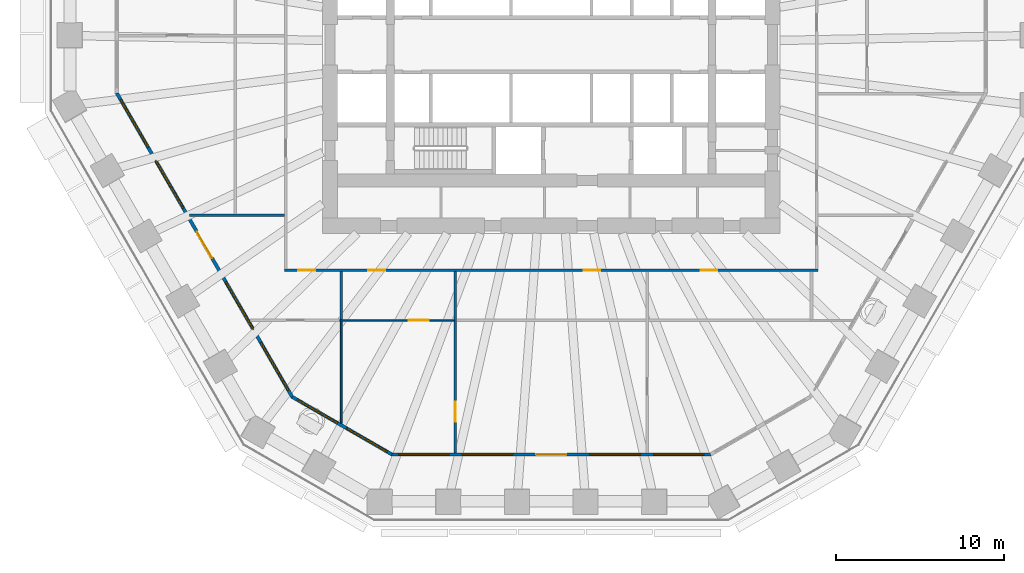
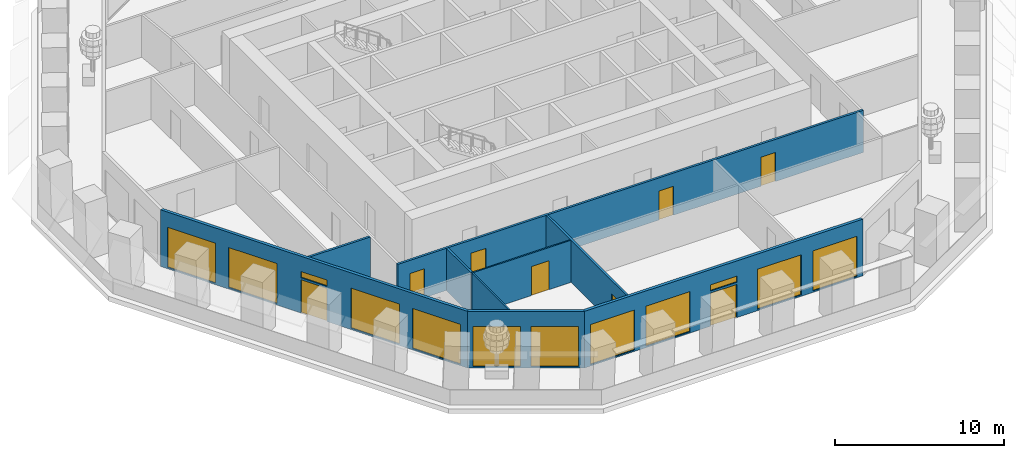
# One storey, part 3 of 13: 12 windows, 9 walls, 8 doors, 20 openings.
"""IFC4 building model written with IfcOpenShell, lengths in metres."""

from ifc_helpers import new_model, si_unit, direction, frame, frame_2d, origin, place, context, subcontext, project, spatial, polyline, rectangle, outline, extrude, material, layer, layer_set, type_object, element, fill, save


model = new_model("IFC4")

# Units and contexts
model_context = context("Model", 3, precision=1e-05, world=origin(), true_north=direction((0.0, 1.0)))
body_context = subcontext(model_context, "Body", "Model", "MODEL_VIEW")
ifc_project = project(units=[si_unit("LENGTHUNIT", "METRE"), si_unit("AREAUNIT", "SQUARE_METRE"), si_unit("VOLUMEUNIT", "CUBIC_METRE"), si_unit("PLANEANGLEUNIT", "RADIAN"), si_unit("MASSUNIT", "GRAM", prefix="KILO")], contexts=[model_context])

# Site, building, storey
site_placement = place(None, origin())
site = spatial("IfcSite", under=ifc_project, at=site_placement, CompositionType="ELEMENT")
building_placement = place(site_placement, origin())
building = spatial("IfcBuilding", under=site, at=building_placement, Name="Frailejon Research Tower", CompositionType="ELEMENT")
storey_placement = place(building_placement, frame((0.0, 0.0, 32.199951171875)))
storey = spatial("IfcBuildingStorey", under=building, at=storey_placement, Name="L07", CompositionType="ELEMENT", Elevation=32.199951171875)

# Wall, openings, doors
ifc_material_1 = material(Name="Gypsum board and masonry partition", Category="masonry")
ifc_layer_1 = layer(ifc_material_1, 0.14990234375)
ifc_layer_set_1 = layer_set([ifc_layer_1], Name="Corridor wall EI 60, gypsum on steel studs 150")
wall_type_1 = type_object("IfcWallType", Name="Corridor wall EI 60, gypsum on steel studs 150", PredefinedType="PARTITIONING", material=ifc_layer_set_1)
wall_1_placement = place(storey_placement, frame((-15.925048828125, -13.449951171875, 0.0), z_axis=(0.0, 0.0, 1.0), x_axis=(1.0, 0.0, 0.0)))
wall_1 = element("IfcWall", 1, at=wall_1_placement, inside=storey, type_object=wall_type_1, Name="T:IW:L07:004", PredefinedType="PARTITIONING", context=body_context, shape_type="SweptSolid", body=[
    extrude(rectangle(XDim=31.85009765625, YDim=0.14990234375, at=frame_2d((15.925048828125, 0.0))), origin(), (0.0, 0.0, 1.0), 3.050048828125),
])
opening_1_placement = place(wall_1_placement, frame((0.828125, 0.0, 0.0)))
opening_1 = element("IfcOpeningElement", 2, at=opening_1_placement, cuts=wall_1, Name="Opening D1335", PredefinedType="OPENING", context=body_context, shape_type="SweptSolid", body=[
    extrude(rectangle(XDim=1.0, YDim=2.10009765625, at=frame_2d((0.5, 1.050048828125))), frame((0.0, 0.0849609375, 0.0), z_axis=(0.0, -1.0, 0.0), x_axis=(1.0, 0.0, 0.0)), (0.0, 0.0, 1.0), 0.169921875),
])
opening_2_placement = place(wall_1_placement, frame((5.0166015625, 0.0, 0.0)))
opening_2 = element("IfcOpeningElement", 3, at=opening_2_placement, cuts=wall_1, Name="Opening D1337", PredefinedType="OPENING", context=body_context, shape_type="SweptSolid", body=[
    extrude(rectangle(XDim=1.0, YDim=2.10009765625, at=frame_2d((0.5, 1.050048828125))), frame((0.0, 0.0849609375, 0.0), z_axis=(0.0, -1.0, 0.0), x_axis=(1.0, 0.0, 0.0)), (0.0, 0.0, 1.0), 0.169921875),
])
opening_3_placement = place(wall_1_placement, frame((17.861083984375, 0.0, 0.0)))
opening_3 = element("IfcOpeningElement", 4, at=opening_3_placement, cuts=wall_1, Name="Opening D1340", PredefinedType="OPENING", context=body_context, shape_type="SweptSolid", body=[
    extrude(rectangle(XDim=1.0, YDim=2.10009765625, at=frame_2d((0.5, 1.050048828125))), frame((0.0, 0.0849609375, 0.0), z_axis=(0.0, -1.0, 0.0), x_axis=(1.0, 0.0, 0.0)), (0.0, 0.0, 1.0), 0.169921875),
])
opening_4_placement = place(wall_1_placement, frame((24.83740234375, 0.0, 0.0)))
opening_4 = element("IfcOpeningElement", 5, at=opening_4_placement, cuts=wall_1, Name="Opening D1342", PredefinedType="OPENING", context=body_context, shape_type="SweptSolid", body=[
    extrude(rectangle(XDim=1.0, YDim=2.10009765625, at=frame_2d((0.5, 1.050048828125))), frame((0.0, 0.0849609375, 0.0), z_axis=(0.0, -1.0, 0.0), x_axis=(1.0, 0.0, 0.0)), (0.0, 0.0, 1.0), 0.169921875),
])
ifc_material_2 = material(Name="Timber door leaf", Category="wood")
door_type_1 = type_object("IfcDoorType", Name="Door laboratory, timber, vision panel 1000", OperationType="NOTDEFINED", PredefinedType="DOOR", material=ifc_material_2)
door_1_placement = place(opening_1_placement, origin())
door_1 = element("IfcDoor", 6, at=door_1_placement, inside=storey, type_object=door_type_1, Name="D1335", OperationType="SINGLE_SWING_RIGHT", OverallHeight=2.10009765625, OverallWidth=1.0, PredefinedType="DOOR", context=body_context, shape_type="SweptSolid", body=[
    extrude(rectangle(XDim=1.0, YDim=2.10009765625, at=frame_2d((0.5, 1.050048828125))), frame((0.0, 0.02490234375, 0.0), z_axis=(0.0, -1.0, 0.0), x_axis=(1.0, 0.0, 0.0)), (0.0, 0.0, 1.0), 0.050048828125),
])
fill(opening_1, door_1)
door_2_placement = place(opening_3_placement, origin())
door_2 = element("IfcDoor", 7, at=door_2_placement, inside=storey, type_object=door_type_1, Name="D1340", OperationType="SINGLE_SWING_RIGHT", OverallHeight=2.10009765625, OverallWidth=1.0, PredefinedType="DOOR", context=body_context, shape_type="SweptSolid", body=[
    extrude(rectangle(XDim=1.0, YDim=2.10009765625, at=frame_2d((0.5, 1.050048828125))), frame((0.0, 0.02490234375, 0.0), z_axis=(0.0, -1.0, 0.0), x_axis=(1.0, 0.0, 0.0)), (0.0, 0.0, 1.0), 0.050048828125),
])
fill(opening_3, door_2)
door_3_placement = place(opening_4_placement, origin())
door_3 = element("IfcDoor", 8, at=door_3_placement, inside=storey, type_object=door_type_1, Name="D1342", OperationType="SINGLE_SWING_LEFT", OverallHeight=2.10009765625, OverallWidth=1.0, PredefinedType="DOOR", context=body_context, shape_type="SweptSolid", body=[
    extrude(rectangle(XDim=1.0, YDim=2.10009765625, at=frame_2d((0.5, 1.050048828125))), frame((0.0, 0.02490234375, 0.0), z_axis=(0.0, -1.0, 0.0), x_axis=(1.0, 0.0, 0.0)), (0.0, 0.0, 1.0), 0.050048828125),
])
fill(opening_4, door_3)
ifc_material_3 = material(Name="Timber door leaf", Category="wood")
door_type_2 = type_object("IfcDoorType", Name="Door single leaf, timber, steel frame 1000", OperationType="NOTDEFINED", PredefinedType="DOOR", material=ifc_material_3)
door_4_placement = place(opening_2_placement, origin())
door_4 = element("IfcDoor", 9, at=door_4_placement, inside=storey, type_object=door_type_2, Name="D1337", OperationType="SINGLE_SWING_RIGHT", OverallHeight=2.10009765625, OverallWidth=1.0, PredefinedType="DOOR", context=body_context, shape_type="SweptSolid", body=[
    extrude(rectangle(XDim=1.0, YDim=2.10009765625, at=frame_2d((0.5, 1.050048828125))), frame((0.0, 0.02490234375, 0.0), z_axis=(0.0, -1.0, 0.0), x_axis=(1.0, 0.0, 0.0)), (0.0, 0.0, 1.0), 0.050048828125),
])
fill(opening_2, door_4)

# Walls
ifc_material_4 = material(Name="Gypsum board and masonry partition", Category="masonry")
ifc_layer_2 = layer(ifc_material_4, 0.14990234375)
ifc_layer_set_2 = layer_set([ifc_layer_2], Name="Laboratory partition, blockwork 150")
wall_type_2 = type_object("IfcWallType", Name="Laboratory partition, blockwork 150", PredefinedType="PARTITIONING", material=ifc_layer_set_2)
wall_2_placement = place(storey_placement, frame((-21.603271484375, -10.18212890625, 0.0), z_axis=(0.0, 0.0, 1.0), x_axis=(1.0, 0.0, 0.0)))
element("IfcWall", 10, at=wall_2_placement, inside=storey, type_object=wall_type_2, Name="T:IW:L07:017", PredefinedType="PARTITIONING", context=body_context, shape_type="SweptSolid", body=[
    extrude(rectangle(XDim=5.67822265625, YDim=0.14990234375, at=frame_2d((2.839111328125, 0.0))), origin(), (0.0, 0.0, 1.0), 3.050048828125),
])
wall_3_placement = place(storey_placement, frame((-12.537109375, -16.39990234375, 0.0), z_axis=(0.0, 0.0, 1.0), x_axis=(0.0, 1.0, 0.0)))
element("IfcWall", 11, at=wall_3_placement, inside=storey, type_object=wall_type_2, Name="T:IW:L07:021", PredefinedType="PARTITIONING", context=body_context, shape_type="SweptSolid", body=[
    extrude(rectangle(XDim=2.875, YDim=0.14990234375, at=frame_2d((1.4375, 0.0))), origin(), (0.0, 0.0, 1.0), 3.050048828125),
])

# Wall, opening, door
wall_4_placement = place(storey_placement, frame((-5.72216796875, -24.35302734375, 0.0), z_axis=(0.0, 0.0, 1.0), x_axis=(0.0, 1.0, 0.0)))
wall_4 = element("IfcWall", 12, at=wall_4_placement, inside=storey, type_object=wall_type_2, Name="T:IW:L07:022", PredefinedType="PARTITIONING", context=body_context, shape_type="SweptSolid", body=[
    extrude(rectangle(XDim=10.828125, YDim=0.14990234375, at=frame_2d((5.4140625, 0.0))), origin(), (0.0, 0.0, 1.0), 3.050048828125),
])
opening_5_placement = place(wall_4_placement, frame((1.850830078125, 0.0, 0.0)))
opening_5 = element("IfcOpeningElement", 13, at=opening_5_placement, cuts=wall_4, Name="Opening D1339", PredefinedType="OPENING", context=body_context, shape_type="SweptSolid", body=[
    extrude(rectangle(XDim=1.199951171875, YDim=2.10009765625, at=frame_2d((0.60009765625, 1.050048828125))), frame((0.0, 0.0849609375, 0.0), z_axis=(0.0, -1.0, 0.0), x_axis=(1.0, 0.0, 0.0)), (0.0, 0.0, 1.0), 0.169921875),
])
ifc_material_5 = material(Name="Timber door leaf", Category="wood")
door_type_3 = type_object("IfcDoorType", Name="Door laboratory, timber, vision panel 1200", OperationType="NOTDEFINED", PredefinedType="DOOR", material=ifc_material_5)
door_5_placement = place(opening_5_placement, origin())
door_5 = element("IfcDoor", 14, at=door_5_placement, inside=storey, type_object=door_type_3, Name="D1339", OperationType="DOUBLE_DOOR_SINGLE_SWING", OverallHeight=2.10009765625, OverallWidth=1.199951171875, PredefinedType="DOOR", context=body_context, shape_type="SweptSolid", body=[
    extrude(rectangle(XDim=1.199951171875, YDim=2.10009765625, at=frame_2d((0.60009765625, 1.050048828125))), frame((0.0, 0.02490234375, 0.0), z_axis=(0.0, -1.0, 0.0), x_axis=(1.0, 0.0, 0.0)), (0.0, 0.0, 1.0), 0.050048828125),
])
fill(opening_5, door_5)

# Wall
ifc_material_6 = material(Name="Gypsum board and masonry partition", Category="masonry")
ifc_layer_3 = layer(ifc_material_6, 0.10009765625)
ifc_layer_set_3 = layer_set([ifc_layer_3], Name="Partition, gypsum on steel studs 100")
wall_type_3 = type_object("IfcWallType", Name="Partition, gypsum on steel studs 100", PredefinedType="PARTITIONING", material=ifc_layer_set_3)
wall_5_placement = place(storey_placement, frame((-12.537109375, -22.590087890625, 0.0), z_axis=(0.0, 0.0, 1.0), x_axis=(0.0, 1.0, 0.0)))
element("IfcWall", 15, at=wall_5_placement, inside=storey, type_object=wall_type_3, Name="T:IW:L07:029", PredefinedType="PARTITIONING", context=body_context, shape_type="SweptSolid", body=[
    extrude(rectangle(XDim=6.090087890625, YDim=0.10009765625, at=frame_2d((3.044921875, 0.0))), origin(), (0.0, 0.0, 1.0), 3.050048828125),
])

# Wall, opening, door
wall_6_placement = place(storey_placement, frame((-12.612060546875, -16.449951171875, 0.0), z_axis=(0.0, 0.0, 1.0), x_axis=(1.0, 0.0, 0.0)))
wall_6 = element("IfcWall", 16, at=wall_6_placement, inside=storey, type_object=wall_type_3, Name="T:IW:L07:030", PredefinedType="PARTITIONING", context=body_context, shape_type="SweptSolid", body=[
    extrude(rectangle(XDim=6.81494140625, YDim=0.10009765625, at=frame_2d((3.407470703125, 0.0))), origin(), (0.0, 0.0, 1.0), 3.050048828125),
])
opening_6_placement = place(wall_6_placement, frame((4.111083984375, 0.0, 0.0)))
opening_6 = element("IfcOpeningElement", 17, at=opening_6_placement, cuts=wall_6, Name="Opening D1338", PredefinedType="OPENING", context=body_context, shape_type="SweptSolid", body=[
    extrude(rectangle(XDim=1.199951171875, YDim=2.10009765625, at=frame_2d((0.60009765625, 1.050048828125))), frame((0.0, 0.06005859375, 0.0), z_axis=(0.0, -1.0, 0.0), x_axis=(1.0, 0.0, 0.0)), (0.0, 0.0, 1.0), 0.1201171875),
])
ifc_material_7 = material(Name="Timber door leaf", Category="wood")
door_type_4 = type_object("IfcDoorType", Name="Door single leaf, timber, steel frame 1200", OperationType="NOTDEFINED", PredefinedType="DOOR", material=ifc_material_7)
door_6_placement = place(opening_6_placement, origin())
door_6 = element("IfcDoor", 18, at=door_6_placement, inside=storey, type_object=door_type_4, Name="D1338", OperationType="DOUBLE_DOOR_SINGLE_SWING", OverallHeight=2.10009765625, OverallWidth=1.199951171875, PredefinedType="DOOR", context=body_context, shape_type="SweptSolid", body=[
    extrude(rectangle(XDim=1.199951171875, YDim=2.10009765625, at=frame_2d((0.60009765625, 1.050048828125))), frame((0.0, 0.02490234375, 0.0), z_axis=(0.0, -1.0, 0.0), x_axis=(1.0, 0.0, 0.0)), (0.0, 0.0, 1.0), 0.050048828125),
])
fill(opening_6, door_6)

# Wall, openings, door, windows
ifc_material_8 = material(Name="Concrete C40/50 precast window wall panel", Category="concrete")
ifc_layer_4 = layer(ifc_material_8, 0.199951171875)
ifc_layer_set_4 = layer_set([ifc_layer_4], Name="Window wall 200")
wall_type_4 = type_object("IfcWallType", Name="Window wall 200", PredefinedType="SOLIDWALL", material=ifc_layer_set_4)
wall_7_placement = place(storey_placement, frame((-25.93212890625, -2.88427734375, 0.0), z_axis=(0.0, 0.0, 1.0), x_axis=(0.499999366442, -0.866025769569, 0.0)))
wall_7 = element("IfcWall", 19, at=wall_7_placement, inside=storey, type_object=wall_type_4, Name="Exterior wall L07", PredefinedType="SOLIDWALL", context=body_context, shape_type="SweptSolid", body=[
    extrude(outline(polyline([(-0.02685546875, -0.10009765625), (1.022705078125, -0.10009765625), (2.072265625, -0.10009765625), (3.12158203125, -0.10009765625), (4.171142578125, -0.10009765625), (5.220703125, -0.10009765625), (6.270263671875, -0.10009765625), (7.31982421875, -0.10009765625), (8.369140625, -0.10009765625), (9.418701171875, -0.10009765625), (10.46826171875, -0.10009765625), (11.517822265625, -0.10009765625), (12.5673828125, -0.10009765625), (13.61669921875, -0.10009765625), (14.666259765625, -0.10009765625), (15.7158203125, -0.10009765625), (16.765380859375, -0.10009765625), (17.81494140625, -0.10009765625), (18.8642578125, -0.10009765625), (19.913818359375, -0.10009765625), (20.96337890625, -0.10009765625), (20.90966796875, 0.10009765625), (19.865478515625, 0.10009765625), (18.8212890625, 0.10009765625), (17.77734375, 0.10009765625), (16.733154296875, 0.10009765625), (15.68896484375, 0.10009765625), (14.644775390625, 0.10009765625), (13.6005859375, 0.10009765625), (12.556640625, 0.10009765625), (11.512451171875, 0.10009765625), (10.46826171875, 0.10009765625), (9.424072265625, 0.10009765625), (8.3798828125, 0.10009765625), (7.3359375, 0.10009765625), (6.291748046875, 0.10009765625), (5.24755859375, 0.10009765625), (4.203369140625, 0.10009765625), (3.1591796875, 0.10009765625), (2.115234375, 0.10009765625), (1.071044921875, 0.10009765625), (0.02685546875, 0.10009765625), (-0.02685546875, -0.10009765625)])), origin(), (0.0, 0.0, 1.0), 4.10009765625),
])
opening_7_placement = place(wall_7_placement, frame((0.443603515625, 0.0, 0.10009765625)))
opening_7 = element("IfcOpeningElement", 20, at=opening_7_placement, cuts=wall_7, Name="Opening W5", PredefinedType="OPENING", context=body_context, shape_type="SweptSolid", body=[
    extrude(rectangle(XDim=3.300048828125, YDim=2.89990234375, at=frame_2d((1.64990234375, 1.449951171875))), frame((0.0, 0.10986328125, 0.0), z_axis=(0.0, -1.0, 0.0), x_axis=(1.0, 0.0, 0.0)), (0.0, 0.0, 1.0), 0.219970703125),
])
opening_8_placement = place(wall_7_placement, frame((4.631103515625, 0.0, 0.10009765625)))
opening_8 = element("IfcOpeningElement", 21, at=opening_8_placement, cuts=wall_7, Name="Opening W5", PredefinedType="OPENING", context=body_context, shape_type="SweptSolid", body=[
    extrude(rectangle(XDim=3.300048828125, YDim=2.89990234375, at=frame_2d((1.64990234375, 1.449951171875))), frame((0.0, 0.10986328125, 0.0), z_axis=(0.0, -1.0, 0.0), x_axis=(1.0, 0.0, 0.0)), (0.0, 0.0, 1.0), 0.219970703125),
])
opening_9_placement = place(wall_7_placement, frame((9.568359375, 0.0, 0.0)))
opening_9 = element("IfcOpeningElement", 22, at=opening_9_placement, cuts=wall_7, Name="Opening LG07-4", PredefinedType="OPENING", context=body_context, shape_type="SweptSolid", body=[
    extrude(rectangle(XDim=1.800048828125, YDim=2.39990234375, at=frame_2d((0.89990234375, 1.199951171875))), frame((0.0, 0.10986328125, 0.0), z_axis=(0.0, -1.0, 0.0), x_axis=(1.0, 0.0, 0.0)), (0.0, 0.0, 1.0), 0.219970703125),
])
opening_10_placement = place(wall_7_placement, frame((9.568359375, 0.0, 2.550048828125)))
opening_10 = element("IfcOpeningElement", 23, at=opening_10_placement, cuts=wall_7, Name="Opening W1", PredefinedType="OPENING", context=body_context, shape_type="SweptSolid", body=[
    extrude(rectangle(XDim=1.800048828125, YDim=0.449951171875, at=frame_2d((0.89990234375, 0.22509765625))), frame((0.0, 0.10986328125, 0.0), z_axis=(0.0, -1.0, 0.0), x_axis=(1.0, 0.0, 0.0)), (0.0, 0.0, 1.0), 0.219970703125),
])
opening_11_placement = place(wall_7_placement, frame((13.005615234375, 0.0, 0.10009765625)))
opening_11 = element("IfcOpeningElement", 24, at=opening_11_placement, cuts=wall_7, Name="Opening W5", PredefinedType="OPENING", context=body_context, shape_type="SweptSolid", body=[
    extrude(rectangle(XDim=3.300048828125, YDim=2.89990234375, at=frame_2d((1.64990234375, 1.449951171875))), frame((0.0, 0.10986328125, 0.0), z_axis=(0.0, -1.0, 0.0), x_axis=(1.0, 0.0, 0.0)), (0.0, 0.0, 1.0), 0.219970703125),
])
opening_12_placement = place(wall_7_placement, frame((17.19287109375, 0.0, 0.10009765625)))
opening_12 = element("IfcOpeningElement", 25, at=opening_12_placement, cuts=wall_7, Name="Opening W5", PredefinedType="OPENING", context=body_context, shape_type="SweptSolid", body=[
    extrude(rectangle(XDim=3.300048828125, YDim=2.89990234375, at=frame_2d((1.64990234375, 1.449951171875))), frame((0.0, 0.10986328125, 0.0), z_axis=(0.0, -1.0, 0.0), x_axis=(1.0, 0.0, 0.0)), (0.0, 0.0, 1.0), 0.219970703125),
])
ifc_material_9 = material(Name="Aluminium framed glazed door leaf", Category="aluminium")
door_type_5 = type_object("IfcDoorType", Name="Loggia door 1800x2400", OperationType="DOUBLE_DOOR_SINGLE_SWING", PredefinedType="DOOR", material=ifc_material_9)
door_7_placement = place(opening_9_placement, origin())
door_7 = element("IfcDoor", 26, at=door_7_placement, inside=storey, type_object=door_type_5, Name="Door LG07-4", OperationType="DOUBLE_DOOR_SINGLE_SWING", OverallHeight=2.39990234375, OverallWidth=1.800048828125, PredefinedType="DOOR", context=body_context, shape_type="SweptSolid", body=[
    extrude(rectangle(XDim=1.800048828125, YDim=2.39990234375, at=frame_2d((0.89990234375, 1.199951171875))), frame((0.0, 0.02490234375, 0.0), z_axis=(0.0, -1.0, 0.0), x_axis=(1.0, 0.0, 0.0)), (0.0, 0.0, 1.0), 0.050048828125),
])
fill(opening_9, door_7)
ifc_material_10 = material(Name="Aluminium framed double glazing", Category="aluminium")
window_type_1 = type_object("IfcWindowType", Name="Window 1800x450", PartitioningType="SINGLE_PANEL", PredefinedType="WINDOW", material=ifc_material_10)
window_1_placement = place(opening_10_placement, origin())
window_1 = element("IfcWindow", 27, at=window_1_placement, inside=storey, type_object=window_type_1, Name="Window L07", OverallHeight=0.449951171875, OverallWidth=1.800048828125, PartitioningType="SINGLE_PANEL", PredefinedType="WINDOW", context=body_context, shape_type="SweptSolid", body=[
    extrude(rectangle(XDim=1.800048828125, YDim=0.449951171875, at=frame_2d((0.89990234375, 0.22509765625))), frame((0.0, 0.030029296875, 0.0), z_axis=(0.0, -1.0, 0.0), x_axis=(1.0, 0.0, 0.0)), (0.0, 0.0, 1.0), 0.06005859375),
])
fill(opening_10, window_1)
ifc_material_11 = material(Name="Aluminium framed double glazing", Category="aluminium")
window_type_2 = type_object("IfcWindowType", Name="Window 3300x2900", PartitioningType="SINGLE_PANEL", PredefinedType="WINDOW", material=ifc_material_11)
window_2_placement = place(opening_7_placement, origin())
window_2 = element("IfcWindow", 28, at=window_2_placement, inside=storey, type_object=window_type_2, Name="Window L07", OverallHeight=2.89990234375, OverallWidth=3.300048828125, PartitioningType="SINGLE_PANEL", PredefinedType="WINDOW", context=body_context, shape_type="SweptSolid", body=[
    extrude(rectangle(XDim=3.300048828125, YDim=2.89990234375, at=frame_2d((1.64990234375, 1.449951171875))), frame((0.0, 0.030029296875, 0.0), z_axis=(0.0, -1.0, 0.0), x_axis=(1.0, 0.0, 0.0)), (0.0, 0.0, 1.0), 0.06005859375),
])
fill(opening_7, window_2)
window_3_placement = place(opening_8_placement, origin())
window_3 = element("IfcWindow", 29, at=window_3_placement, inside=storey, type_object=window_type_2, Name="Window L07", OverallHeight=2.89990234375, OverallWidth=3.300048828125, PartitioningType="SINGLE_PANEL", PredefinedType="WINDOW", context=body_context, shape_type="SweptSolid", body=[
    extrude(rectangle(XDim=3.300048828125, YDim=2.89990234375, at=frame_2d((1.64990234375, 1.449951171875))), frame((0.0, 0.030029296875, 0.0), z_axis=(0.0, -1.0, 0.0), x_axis=(1.0, 0.0, 0.0)), (0.0, 0.0, 1.0), 0.06005859375),
])
fill(opening_8, window_3)
window_4_placement = place(opening_11_placement, origin())
window_4 = element("IfcWindow", 30, at=window_4_placement, inside=storey, type_object=window_type_2, Name="Window L07", OverallHeight=2.89990234375, OverallWidth=3.300048828125, PartitioningType="SINGLE_PANEL", PredefinedType="WINDOW", context=body_context, shape_type="SweptSolid", body=[
    extrude(rectangle(XDim=3.300048828125, YDim=2.89990234375, at=frame_2d((1.64990234375, 1.449951171875))), frame((0.0, 0.030029296875, 0.0), z_axis=(0.0, -1.0, 0.0), x_axis=(1.0, 0.0, 0.0)), (0.0, 0.0, 1.0), 0.06005859375),
])
fill(opening_11, window_4)
window_5_placement = place(opening_12_placement, origin())
window_5 = element("IfcWindow", 31, at=window_5_placement, inside=storey, type_object=window_type_2, Name="Window L07", OverallHeight=2.89990234375, OverallWidth=3.300048828125, PartitioningType="SINGLE_PANEL", PredefinedType="WINDOW", context=body_context, shape_type="SweptSolid", body=[
    extrude(rectangle(XDim=3.300048828125, YDim=2.89990234375, at=frame_2d((1.64990234375, 1.449951171875))), frame((0.0, 0.030029296875, 0.0), z_axis=(0.0, -1.0, 0.0), x_axis=(1.0, 0.0, 0.0)), (0.0, 0.0, 1.0), 0.06005859375),
])
fill(opening_12, window_5)

# Wall, openings, windows
wall_8_placement = place(storey_placement, frame((-15.4638671875, -21.015869140625, 0.0), z_axis=(0.0, 0.0, 1.0), x_axis=(0.866029458321, -0.49999297727, 0.0)))
wall_8 = element("IfcWall", 32, at=wall_8_placement, inside=storey, type_object=wall_type_4, Name="Exterior wall L07", PredefinedType="SOLIDWALL", context=body_context, shape_type="SweptSolid", body=[
    extrude(outline(polyline([(-0.02685546875, -0.10009765625), (1.1279296875, -0.10009765625), (2.282470703125, -0.10009765625), (3.437255859375, -0.10009765625), (4.592041015625, -0.10009765625), (5.74658203125, -0.10009765625), (6.9013671875, -0.10009765625), (6.84765625, 0.10009765625), (5.7109375, 0.10009765625), (4.573974609375, 0.10009765625), (3.437255859375, 0.10009765625), (2.300537109375, 0.10009765625), (1.16357421875, 0.10009765625), (0.02685546875, 0.10009765625), (-0.02685546875, -0.10009765625)])), origin(), (0.0, 0.0, 1.0), 4.10009765625),
])
opening_13_placement = place(wall_8_placement, frame((0.318603515625, 0.0, 0.10009765625)))
opening_13 = element("IfcOpeningElement", 33, at=opening_13_placement, cuts=wall_8, Name="Opening W3", PredefinedType="OPENING", context=body_context, shape_type="SweptSolid", body=[
    extrude(rectangle(XDim=2.800048828125, YDim=2.89990234375, at=frame_2d((1.39990234375, 1.449951171875))), frame((0.0, 0.10986328125, 0.0), z_axis=(0.0, -1.0, 0.0), x_axis=(1.0, 0.0, 0.0)), (0.0, 0.0, 1.0), 0.219970703125),
])
opening_14_placement = place(wall_8_placement, frame((3.756103515625, 0.0, 0.10009765625)))
opening_14 = element("IfcOpeningElement", 34, at=opening_14_placement, cuts=wall_8, Name="Opening W3", PredefinedType="OPENING", context=body_context, shape_type="SweptSolid", body=[
    extrude(rectangle(XDim=2.800048828125, YDim=2.89990234375, at=frame_2d((1.39990234375, 1.449951171875))), frame((0.0, 0.10986328125, 0.0), z_axis=(0.0, -1.0, 0.0), x_axis=(1.0, 0.0, 0.0)), (0.0, 0.0, 1.0), 0.219970703125),
])
ifc_material_12 = material(Name="Aluminium framed double glazing", Category="aluminium")
window_type_3 = type_object("IfcWindowType", Name="Window 2800x2900", PartitioningType="SINGLE_PANEL", PredefinedType="WINDOW", material=ifc_material_12)
window_6_placement = place(opening_13_placement, origin())
window_6 = element("IfcWindow", 35, at=window_6_placement, inside=storey, type_object=window_type_3, Name="Window L07", OverallHeight=2.89990234375, OverallWidth=2.800048828125, PartitioningType="SINGLE_PANEL", PredefinedType="WINDOW", context=body_context, shape_type="SweptSolid", body=[
    extrude(rectangle(XDim=2.800048828125, YDim=2.89990234375, at=frame_2d((1.39990234375, 1.449951171875))), frame((0.0, 0.030029296875, 0.0), z_axis=(0.0, -1.0, 0.0), x_axis=(1.0, 0.0, 0.0)), (0.0, 0.0, 1.0), 0.06005859375),
])
fill(opening_13, window_6)
window_7_placement = place(opening_14_placement, origin())
window_7 = element("IfcWindow", 36, at=window_7_placement, inside=storey, type_object=window_type_3, Name="Window L07", OverallHeight=2.89990234375, OverallWidth=2.800048828125, PartitioningType="SINGLE_PANEL", PredefinedType="WINDOW", context=body_context, shape_type="SweptSolid", body=[
    extrude(rectangle(XDim=2.800048828125, YDim=2.89990234375, at=frame_2d((1.39990234375, 1.449951171875))), frame((0.0, 0.030029296875, 0.0), z_axis=(0.0, -1.0, 0.0), x_axis=(1.0, 0.0, 0.0)), (0.0, 0.0, 1.0), 0.06005859375),
])
fill(opening_14, window_7)

# Wall, openings, door, windows
wall_9_placement = place(storey_placement, frame((-9.51025390625, -24.453125, 0.0), z_axis=(0.0, 0.0, 1.0), x_axis=(1.0, 0.0, 0.0)))
wall_9 = element("IfcWall", 37, at=wall_9_placement, inside=storey, type_object=wall_type_4, Name="Exterior wall L07", PredefinedType="SOLIDWALL", context=body_context, shape_type="SweptSolid", body=[
    extrude(outline(polyline([(-0.02685546875, -0.10009765625), (0.97705078125, -0.10009765625), (1.98095703125, -0.10009765625), (2.98486328125, -0.10009765625), (3.98876953125, -0.10009765625), (4.99267578125, -0.10009765625), (5.99658203125, -0.10009765625), (7.00048828125, -0.10009765625), (8.00439453125, -0.10009765625), (9.00830078125, -0.10009765625), (10.01220703125, -0.10009765625), (11.01611328125, -0.10009765625), (12.02001953125, -0.10009765625), (13.02392578125, -0.10009765625), (14.02783203125, -0.10009765625), (15.03173828125, -0.10009765625), (16.03564453125, -0.10009765625), (17.03955078125, -0.10009765625), (18.04345703125, -0.10009765625), (19.04736328125, -0.10009765625), (18.99365234375, 0.10009765625), (17.995361328125, 0.10009765625), (16.9970703125, 0.10009765625), (15.998779296875, 0.10009765625), (15.000732421875, 0.10009765625), (14.00244140625, 0.10009765625), (13.004150390625, 0.10009765625), (12.005859375, 0.10009765625), (11.007568359375, 0.10009765625), (10.00927734375, 0.10009765625), (9.01123046875, 0.10009765625), (8.012939453125, 0.10009765625), (7.0146484375, 0.10009765625), (6.016357421875, 0.10009765625), (5.01806640625, 0.10009765625), (4.019775390625, 0.10009765625), (3.021728515625, 0.10009765625), (2.0234375, 0.10009765625), (1.025146484375, 0.10009765625), (0.02685546875, 0.10009765625), (-0.02685546875, -0.10009765625)])), origin(), (0.0, 0.0, 1.0), 4.10009765625),
])
opening_15_placement = place(wall_9_placement, frame((0.402099609375, 0.0, 0.10009765625)))
opening_15 = element("IfcOpeningElement", 38, at=opening_15_placement, cuts=wall_9, Name="Opening W4", PredefinedType="OPENING", context=body_context, shape_type="SweptSolid", body=[
    extrude(rectangle(XDim=3.0, YDim=2.89990234375, at=frame_2d((1.5, 1.449951171875))), frame((0.0, 0.10986328125, 0.0), z_axis=(0.0, -1.0, 0.0), x_axis=(1.0, 0.0, 0.0)), (0.0, 0.0, 1.0), 0.219970703125),
])
opening_16_placement = place(wall_9_placement, frame((4.206298828125, 0.0, 0.10009765625)))
opening_16 = element("IfcOpeningElement", 39, at=opening_16_placement, cuts=wall_9, Name="Opening W4", PredefinedType="OPENING", context=body_context, shape_type="SweptSolid", body=[
    extrude(rectangle(XDim=3.0, YDim=2.89990234375, at=frame_2d((1.5, 1.449951171875))), frame((0.0, 0.10986328125, 0.0), z_axis=(0.0, -1.0, 0.0), x_axis=(1.0, 0.0, 0.0)), (0.0, 0.0, 1.0), 0.219970703125),
])
opening_17_placement = place(wall_9_placement, frame((8.6103515625, 0.0, 0.0)))
opening_17 = element("IfcOpeningElement", 40, at=opening_17_placement, cuts=wall_9, Name="Opening LG07-5", PredefinedType="OPENING", context=body_context, shape_type="SweptSolid", body=[
    extrude(rectangle(XDim=1.800048828125, YDim=2.39990234375, at=frame_2d((0.89990234375, 1.199951171875))), frame((0.0, 0.10986328125, 0.0), z_axis=(0.0, -1.0, 0.0), x_axis=(1.0, 0.0, 0.0)), (0.0, 0.0, 1.0), 0.219970703125),
])
opening_18_placement = place(wall_9_placement, frame((8.6103515625, 0.0, 2.550048828125)))
opening_18 = element("IfcOpeningElement", 41, at=opening_18_placement, cuts=wall_9, Name="Opening W1", PredefinedType="OPENING", context=body_context, shape_type="SweptSolid", body=[
    extrude(rectangle(XDim=1.800048828125, YDim=0.449951171875, at=frame_2d((0.89990234375, 0.22509765625))), frame((0.0, 0.10986328125, 0.0), z_axis=(0.0, -1.0, 0.0), x_axis=(1.0, 0.0, 0.0)), (0.0, 0.0, 1.0), 0.219970703125),
])
opening_19_placement = place(wall_9_placement, frame((11.814453125, 0.0, 0.10009765625)))
opening_19 = element("IfcOpeningElement", 42, at=opening_19_placement, cuts=wall_9, Name="Opening W4", PredefinedType="OPENING", context=body_context, shape_type="SweptSolid", body=[
    extrude(rectangle(XDim=3.0, YDim=2.89990234375, at=frame_2d((1.5, 1.449951171875))), frame((0.0, 0.10986328125, 0.0), z_axis=(0.0, -1.0, 0.0), x_axis=(1.0, 0.0, 0.0)), (0.0, 0.0, 1.0), 0.219970703125),
])
opening_20_placement = place(wall_9_placement, frame((15.618408203125, 0.0, 0.10009765625)))
opening_20 = element("IfcOpeningElement", 43, at=opening_20_placement, cuts=wall_9, Name="Opening W4", PredefinedType="OPENING", context=body_context, shape_type="SweptSolid", body=[
    extrude(rectangle(XDim=3.0, YDim=2.89990234375, at=frame_2d((1.5, 1.449951171875))), frame((0.0, 0.10986328125, 0.0), z_axis=(0.0, -1.0, 0.0), x_axis=(1.0, 0.0, 0.0)), (0.0, 0.0, 1.0), 0.219970703125),
])
door_8_placement = place(opening_17_placement, origin())
door_8 = element("IfcDoor", 44, at=door_8_placement, inside=storey, type_object=door_type_5, Name="Door LG07-5", OperationType="DOUBLE_DOOR_SINGLE_SWING", OverallHeight=2.39990234375, OverallWidth=1.800048828125, PredefinedType="DOOR", context=body_context, shape_type="SweptSolid", body=[
    extrude(rectangle(XDim=1.800048828125, YDim=2.39990234375, at=frame_2d((0.89990234375, 1.199951171875))), frame((0.0, 0.02490234375, 0.0), z_axis=(0.0, -1.0, 0.0), x_axis=(1.0, 0.0, 0.0)), (0.0, 0.0, 1.0), 0.050048828125),
])
fill(opening_17, door_8)
window_8_placement = place(opening_18_placement, origin())
window_8 = element("IfcWindow", 45, at=window_8_placement, inside=storey, type_object=window_type_1, Name="Window L07", OverallHeight=0.449951171875, OverallWidth=1.800048828125, PartitioningType="SINGLE_PANEL", PredefinedType="WINDOW", context=body_context, shape_type="SweptSolid", body=[
    extrude(rectangle(XDim=1.800048828125, YDim=0.449951171875, at=frame_2d((0.89990234375, 0.22509765625))), frame((0.0, 0.030029296875, 0.0), z_axis=(0.0, -1.0, 0.0), x_axis=(1.0, 0.0, 0.0)), (0.0, 0.0, 1.0), 0.06005859375),
])
fill(opening_18, window_8)
ifc_material_13 = material(Name="Aluminium framed double glazing", Category="aluminium")
window_type_4 = type_object("IfcWindowType", Name="Window 3000x2900", PartitioningType="SINGLE_PANEL", PredefinedType="WINDOW", material=ifc_material_13)
window_9_placement = place(opening_15_placement, origin())
window_9 = element("IfcWindow", 46, at=window_9_placement, inside=storey, type_object=window_type_4, Name="Window L07", OverallHeight=2.89990234375, OverallWidth=3.0, PartitioningType="SINGLE_PANEL", PredefinedType="WINDOW", context=body_context, shape_type="SweptSolid", body=[
    extrude(rectangle(XDim=3.0, YDim=2.89990234375, at=frame_2d((1.5, 1.449951171875))), frame((0.0, 0.030029296875, 0.0), z_axis=(0.0, -1.0, 0.0), x_axis=(1.0, 0.0, 0.0)), (0.0, 0.0, 1.0), 0.06005859375),
])
fill(opening_15, window_9)
window_10_placement = place(opening_16_placement, origin())
window_10 = element("IfcWindow", 47, at=window_10_placement, inside=storey, type_object=window_type_4, Name="Window L07", OverallHeight=2.89990234375, OverallWidth=3.0, PartitioningType="SINGLE_PANEL", PredefinedType="WINDOW", context=body_context, shape_type="SweptSolid", body=[
    extrude(rectangle(XDim=3.0, YDim=2.89990234375, at=frame_2d((1.5, 1.449951171875))), frame((0.0, 0.030029296875, 0.0), z_axis=(0.0, -1.0, 0.0), x_axis=(1.0, 0.0, 0.0)), (0.0, 0.0, 1.0), 0.06005859375),
])
fill(opening_16, window_10)
window_11_placement = place(opening_19_placement, origin())
window_11 = element("IfcWindow", 48, at=window_11_placement, inside=storey, type_object=window_type_4, Name="Window L07", OverallHeight=2.89990234375, OverallWidth=3.0, PartitioningType="SINGLE_PANEL", PredefinedType="WINDOW", context=body_context, shape_type="SweptSolid", body=[
    extrude(rectangle(XDim=3.0, YDim=2.89990234375, at=frame_2d((1.5, 1.449951171875))), frame((0.0, 0.030029296875, 0.0), z_axis=(0.0, -1.0, 0.0), x_axis=(1.0, 0.0, 0.0)), (0.0, 0.0, 1.0), 0.06005859375),
])
fill(opening_19, window_11)
window_12_placement = place(opening_20_placement, origin())
window_12 = element("IfcWindow", 49, at=window_12_placement, inside=storey, type_object=window_type_4, Name="Window L07", OverallHeight=2.89990234375, OverallWidth=3.0, PartitioningType="SINGLE_PANEL", PredefinedType="WINDOW", context=body_context, shape_type="SweptSolid", body=[
    extrude(rectangle(XDim=3.0, YDim=2.89990234375, at=frame_2d((1.5, 1.449951171875))), frame((0.0, 0.030029296875, 0.0), z_axis=(0.0, -1.0, 0.0), x_axis=(1.0, 0.0, 0.0)), (0.0, 0.0, 1.0), 0.06005859375),
])
fill(opening_20, window_12)

save(model, "model.ifc")
